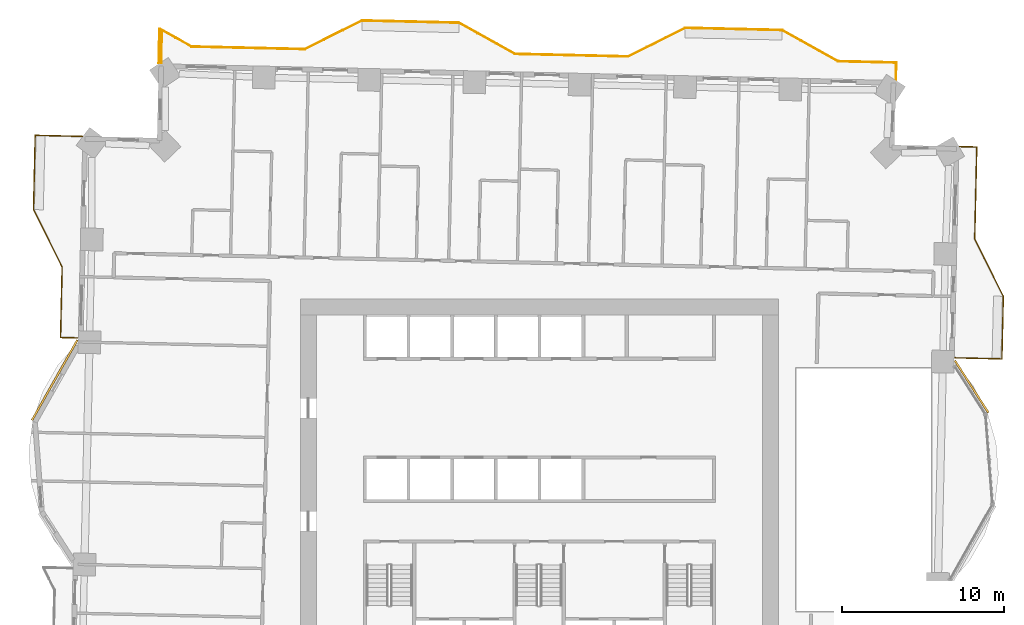
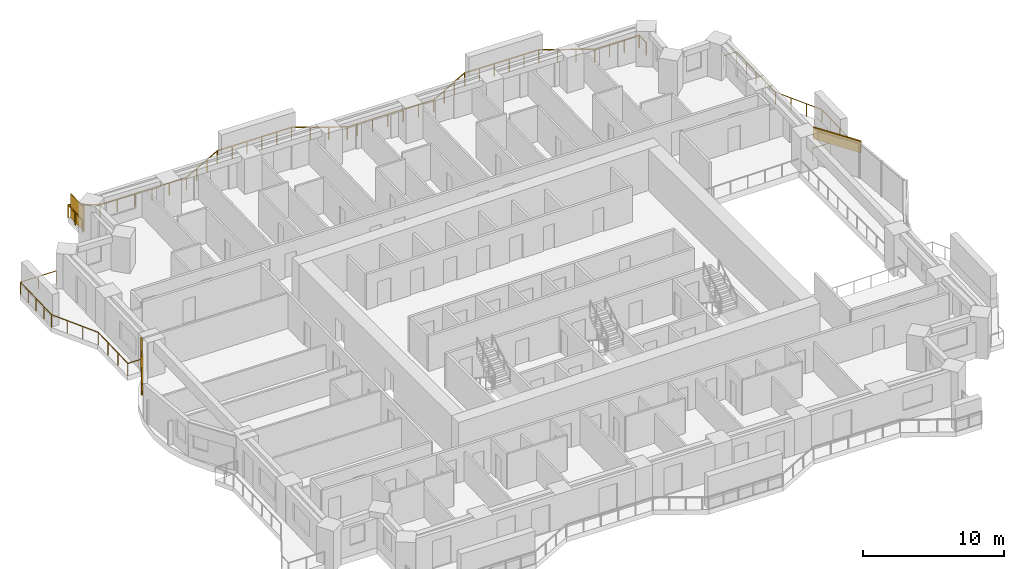
# One storey, part 16 of 16: 3 railings, 2 coverings, 1 shading device.
"""IFC4 building model written with IfcOpenShell, lengths in metres."""

from ifc_helpers import new_model, si_unit, direction, frame, frame_2d, origin, origin_2d, place, context, subcontext, project, spatial, rectangle, extrude, material, layer, layer_set, type_object, element, save


model = new_model("IFC4")

# Units and contexts
model_context = context("Model", 3, precision=1e-05, world=origin(), true_north=direction((0.0, 1.0)))
body_context = subcontext(model_context, "Body", "Model", "MODEL_VIEW")
ifc_project = project(units=[si_unit("LENGTHUNIT", "METRE"), si_unit("AREAUNIT", "SQUARE_METRE"), si_unit("VOLUMEUNIT", "CUBIC_METRE"), si_unit("PLANEANGLEUNIT", "RADIAN"), si_unit("MASSUNIT", "GRAM", prefix="KILO")], contexts=[model_context])

# Site, building, storey
site_placement = place(None, origin())
site = spatial("IfcSite", under=ifc_project, at=site_placement, CompositionType="ELEMENT")
building_placement = place(site_placement, origin())
building = spatial("IfcBuilding", under=site, at=building_placement, Name="Mangrove Gate Tower", CompositionType="ELEMENT")
storey_placement = place(building_placement, frame((0.0, 0.0, 109.10009765625)))
storey = spatial("IfcBuildingStorey", under=building, at=storey_placement, Name="L27", CompositionType="ELEMENT", Elevation=109.10009765625)

# Railings
ifc_material_1 = material(Name="Stainless steel grade 316 with laminated glass infill", Category="steel")
railing_type = type_object("IfcRailingType", Name="Balcony guard 1100", PredefinedType="GUARDRAIL", material=ifc_material_1)
railing_1_placement = place(storey_placement, frame((25.698974609375, 8.157958984375, 0.0)))
element("IfcRailing", 1, at=railing_1_placement, inside=storey, type_object=railing_type, Name="GUARD L27 E2", PredefinedType="GUARDRAIL", context=body_context, shape_type="SweptSolid", body=[
    extrude(rectangle(XDim=0.048095703125, YDim=0.048095703125, at=origin_2d()), frame((0.0, 0.0, 1.076171875), z_axis=(0.999743349437, -0.022654696127, 0.0), x_axis=(0.022654696127, 0.999743349437, 0.0)), (0.0, 0.0, 1.0), 2.90966796875),
    extrude(rectangle(XDim=0.048095703125, YDim=0.048095703125, at=origin_2d()), frame((2.908935546875, -0.06591796875, 1.076171875), z_axis=(0.022750035778, 0.999741184443, 0.0), x_axis=(-0.999741184443, 0.022750035778, 0.0)), (0.0, 0.0, 1.0), 3.8740234375),
    extrude(rectangle(XDim=0.048095703125, YDim=0.048095703125, at=origin_2d()), frame((2.9970703125, 3.80712890625, 1.076171875), z_axis=(-0.447114919141, 0.894476522376, 0.0), x_axis=(-0.894476522376, -0.447114919141, 0.0)), (0.0, 0.0, 1.0), 3.958740234375),
    extrude(rectangle(XDim=0.048095703125, YDim=0.048095703125, at=origin_2d()), frame((1.22705078125, 7.34814453125, 1.076171875), z_axis=(0.022613416525, 0.999744284001, 0.0), x_axis=(-0.999744284001, 0.022613416525, 0.0)), (0.0, 0.0, 1.0), 5.700439453125),
    extrude(rectangle(XDim=0.048095703125, YDim=0.048095703125, at=origin_2d()), frame((1.35595703125, 13.047119140625, 1.076171875), z_axis=(-0.999745272039, 0.02256969285, 0.0), x_axis=(-0.02256969285, -0.999745272039, 0.0)), (0.0, 0.0, 1.0), 1.06005859375),
    extrude(rectangle(XDim=0.0419921875, YDim=0.0419921875, at=origin_2d()), origin(), (0.0, 0.0, 1.0), 1.052001953125),
    extrude(rectangle(XDim=0.0419921875, YDim=0.0419921875, at=origin_2d()), frame((1.45458984375, -0.032958984375, 0.0)), (0.0, 0.0, 1.0), 1.052001953125),
    extrude(rectangle(XDim=0.0419921875, YDim=0.0419921875, at=origin_2d()), frame((2.908935546875, -0.06591796875, 0.0)), (0.0, 0.0, 1.0), 1.052001953125),
    extrude(rectangle(XDim=0.0419921875, YDim=0.0419921875, at=origin_2d()), frame((2.938232421875, 1.22509765625, 0.0)), (0.0, 0.0, 1.0), 1.052001953125),
    extrude(rectangle(XDim=0.0419921875, YDim=0.0419921875, at=origin_2d()), frame((2.9677734375, 2.51611328125, 0.0)), (0.0, 0.0, 1.0), 1.052001953125),
    extrude(rectangle(XDim=0.0419921875, YDim=0.0419921875, at=origin_2d()), frame((2.9970703125, 3.80712890625, 0.0)), (0.0, 0.0, 1.0), 1.052001953125),
    extrude(rectangle(XDim=0.0419921875, YDim=0.0419921875, at=origin_2d()), frame((2.406982421875, 4.987548828125, 0.0)), (0.0, 0.0, 1.0), 1.052001953125),
    extrude(rectangle(XDim=0.0419921875, YDim=0.0419921875, at=origin_2d()), frame((1.817138671875, 6.167724609375, 0.0)), (0.0, 0.0, 1.0), 1.052001953125),
    extrude(rectangle(XDim=0.0419921875, YDim=0.0419921875, at=origin_2d()), frame((1.22705078125, 7.34814453125, 0.0)), (0.0, 0.0, 1.0), 1.052001953125),
    extrude(rectangle(XDim=0.0419921875, YDim=0.0419921875, at=origin_2d()), frame((1.25927734375, 8.77294921875, 0.0)), (0.0, 0.0, 1.0), 1.052001953125),
    extrude(rectangle(XDim=0.0419921875, YDim=0.0419921875, at=origin_2d()), frame((1.29150390625, 10.19775390625, 0.0)), (0.0, 0.0, 1.0), 1.052001953125),
    extrude(rectangle(XDim=0.0419921875, YDim=0.0419921875, at=origin_2d()), frame((1.32373046875, 11.622314453125, 0.0)), (0.0, 0.0, 1.0), 1.052001953125),
    extrude(rectangle(XDim=0.0419921875, YDim=0.0419921875, at=origin_2d()), frame((1.35595703125, 13.047119140625, 0.0)), (0.0, 0.0, 1.0), 1.052001953125),
    extrude(rectangle(XDim=0.0419921875, YDim=0.0419921875, at=origin_2d()), frame((0.296142578125, 13.071044921875, 0.0)), (0.0, 0.0, 1.0), 1.052001953125),
])
railing_2_placement = place(storey_placement, frame((22.048095703125, 25.360107421875, 0.0)))
element("IfcRailing", 2, at=railing_2_placement, inside=storey, type_object=railing_type, Name="GUARD L27 N1", PredefinedType="GUARDRAIL", context=body_context, shape_type="SweptSolid", body=[
    extrude(rectangle(XDim=0.048095703125, YDim=0.048095703125, at=origin_2d()), frame((0.0, 0.0, 1.076171875), z_axis=(0.022590498181, 0.999744802133, 0.0), x_axis=(-0.999744802133, 0.022590498181, 0.0)), (0.0, 0.0, 1.0), 1.05908203125),
    extrude(rectangle(XDim=0.048095703125, YDim=0.048095703125, at=origin_2d()), frame((0.02392578125, 1.058837890625, 1.076171875), z_axis=(-0.999740925452, 0.022761414213, 0.0), x_axis=(-0.022761414213, -0.999740925452, 0.0)), (0.0, 0.0, 1.0), 3.60400390625),
    extrude(rectangle(XDim=0.048095703125, YDim=0.048095703125, at=origin_2d()), frame((-3.5791015625, 1.140869140625, 1.076171875), z_axis=(-0.87325689943, 0.48726008209, 0.0), x_axis=(-0.48726008209, -0.87325689943, 0.0)), (0.0, 0.0, 1.0), 3.958740234375),
    extrude(rectangle(XDim=0.048095703125, YDim=0.048095703125, at=origin_2d()), frame((-7.0361328125, 3.06982421875, 1.076171875), z_axis=(-0.999743178102, 0.022662255828, 0.0), x_axis=(-0.022662255828, -0.999743178102, 0.0)), (0.0, 0.0, 1.0), 6.00048828125),
    extrude(rectangle(XDim=0.048095703125, YDim=0.048095703125, at=origin_2d()), frame((-13.03515625, 3.205810546875, 1.076171875), z_axis=(-0.894476522376, -0.447114919141, 0.0), x_axis=(0.447114919141, -0.894476522376, 0.0)), (0.0, 0.0, 1.0), 3.958740234375),
    extrude(rectangle(XDim=0.048095703125, YDim=0.048095703125, at=origin_2d()), frame((-16.576171875, 1.435791015625, 1.076171875), z_axis=(-0.999740919865, 0.022761659577, 0.0), x_axis=(-0.022761659577, -0.999740919865, 0.0)), (0.0, 0.0, 1.0), 6.19970703125),
    extrude(rectangle(XDim=0.048095703125, YDim=0.048095703125, at=origin_2d()), frame((-22.774169921875, 1.576904296875, 1.076171875), z_axis=(-0.999744976912, 0.022582761994, 0.0), x_axis=(-0.022582761994, -0.999744976912, 0.0)), (0.0, 0.0, 1.0), 0.800048828125),
    extrude(rectangle(XDim=0.048095703125, YDim=0.048095703125, at=origin_2d()), frame((-23.573974609375, 1.594970703125, 1.076171875), z_axis=(-0.87325689943, 0.48726008209, 0.0), x_axis=(-0.48726008209, -0.87325689943, 0.0)), (0.0, 0.0, 1.0), 3.958740234375),
    extrude(rectangle(XDim=0.048095703125, YDim=0.048095703125, at=origin_2d()), frame((-27.031005859375, 3.52392578125, 1.076171875), z_axis=(-0.999743178102, 0.022662255828, 0.0), x_axis=(-0.022662255828, -0.999743178102, 0.0)), (0.0, 0.0, 1.0), 6.00048828125),
    extrude(rectangle(XDim=0.048095703125, YDim=0.048095703125, at=origin_2d()), frame((-33.030029296875, 3.659912109375, 1.076171875), z_axis=(-0.894476522376, -0.447114919141, 0.0), x_axis=(0.447114919141, -0.894476522376, 0.0)), (0.0, 0.0, 1.0), 3.958740234375),
    extrude(rectangle(XDim=0.048095703125, YDim=0.048095703125, at=origin_2d()), frame((-36.571044921875, 1.889892578125, 1.076171875), z_axis=(-0.999742195543, 0.022705559911, 0.0), x_axis=(-0.022705559911, -0.999742195543, 0.0)), (0.0, 0.0, 1.0), 6.999755859375),
    extrude(rectangle(XDim=0.048095703125, YDim=0.048095703125, at=origin_2d()), frame((-43.569091796875, 2.048828125, 1.076171875), z_axis=(-0.87330217406, 0.487178933025, 0.0), x_axis=(-0.487178933025, -0.87330217406, 0.0)), (0.0, 0.0, 1.0), 2.26611328125),
    extrude(rectangle(XDim=0.048095703125, YDim=0.048095703125, at=origin_2d()), frame((-45.548095703125, 3.15283203125, 1.076171875), z_axis=(-0.022692622467, -0.999742489287, 0.0), x_axis=(0.999742489287, -0.022692622467, 0.0)), (0.0, 0.0, 1.0), 2.119384765625),
    extrude(rectangle(XDim=0.0419921875, YDim=0.0419921875, at=origin_2d()), origin(), (0.0, 0.0, 1.0), 1.052001953125),
    extrude(rectangle(XDim=0.0419921875, YDim=0.0419921875, at=origin_2d()), frame((0.02392578125, 1.058837890625, 0.0)), (0.0, 0.0, 1.0), 1.052001953125),
    extrude(rectangle(XDim=0.0419921875, YDim=0.0419921875, at=origin_2d()), frame((-1.177001953125, 1.086181640625, 0.0)), (0.0, 0.0, 1.0), 1.052001953125),
    extrude(rectangle(XDim=0.0419921875, YDim=0.0419921875, at=origin_2d()), frame((-2.378173828125, 1.113525390625, 0.0)), (0.0, 0.0, 1.0), 1.052001953125),
    extrude(rectangle(XDim=0.0419921875, YDim=0.0419921875, at=origin_2d()), frame((-3.5791015625, 1.140869140625, 0.0)), (0.0, 0.0, 1.0), 1.052001953125),
    extrude(rectangle(XDim=0.0419921875, YDim=0.0419921875, at=origin_2d()), frame((-4.7314453125, 1.783935546875, 0.0)), (0.0, 0.0, 1.0), 1.052001953125),
    extrude(rectangle(XDim=0.0419921875, YDim=0.0419921875, at=origin_2d()), frame((-5.8837890625, 2.4267578125, 0.0)), (0.0, 0.0, 1.0), 1.052001953125),
    extrude(rectangle(XDim=0.0419921875, YDim=0.0419921875, at=origin_2d()), frame((-7.0361328125, 3.06982421875, 0.0)), (0.0, 0.0, 1.0), 1.052001953125),
    extrude(rectangle(XDim=0.0419921875, YDim=0.0419921875, at=origin_2d()), frame((-8.23583984375, 3.096923828125, 0.0)), (0.0, 0.0, 1.0), 1.052001953125),
    extrude(rectangle(XDim=0.0419921875, YDim=0.0419921875, at=origin_2d()), frame((-9.435791015625, 3.124267578125, 0.0)), (0.0, 0.0, 1.0), 1.052001953125),
    extrude(rectangle(XDim=0.0419921875, YDim=0.0419921875, at=origin_2d()), frame((-10.635498046875, 3.1513671875, 0.0)), (0.0, 0.0, 1.0), 1.052001953125),
    extrude(rectangle(XDim=0.0419921875, YDim=0.0419921875, at=origin_2d()), frame((-11.83544921875, 3.1787109375, 0.0)), (0.0, 0.0, 1.0), 1.052001953125),
    extrude(rectangle(XDim=0.0419921875, YDim=0.0419921875, at=origin_2d()), frame((-13.03515625, 3.205810546875, 0.0)), (0.0, 0.0, 1.0), 1.052001953125),
    extrude(rectangle(XDim=0.0419921875, YDim=0.0419921875, at=origin_2d()), frame((-14.215576171875, 2.61572265625, 0.0)), (0.0, 0.0, 1.0), 1.052001953125),
    extrude(rectangle(XDim=0.0419921875, YDim=0.0419921875, at=origin_2d()), frame((-15.395751953125, 2.02587890625, 0.0)), (0.0, 0.0, 1.0), 1.052001953125),
    extrude(rectangle(XDim=0.0419921875, YDim=0.0419921875, at=origin_2d()), frame((-16.576171875, 1.435791015625, 0.0)), (0.0, 0.0, 1.0), 1.052001953125),
    extrude(rectangle(XDim=0.0419921875, YDim=0.0419921875, at=origin_2d()), frame((-17.815673828125, 1.464111328125, 0.0)), (0.0, 0.0, 1.0), 1.052001953125),
    extrude(rectangle(XDim=0.0419921875, YDim=0.0419921875, at=origin_2d()), frame((-19.055419921875, 1.4921875, 0.0)), (0.0, 0.0, 1.0), 1.052001953125),
    extrude(rectangle(XDim=0.0419921875, YDim=0.0419921875, at=origin_2d()), frame((-20.294921875, 1.5205078125, 0.0)), (0.0, 0.0, 1.0), 1.052001953125),
    extrude(rectangle(XDim=0.0419921875, YDim=0.0419921875, at=origin_2d()), frame((-21.53466796875, 1.548583984375, 0.0)), (0.0, 0.0, 1.0), 1.052001953125),
    extrude(rectangle(XDim=0.0419921875, YDim=0.0419921875, at=origin_2d()), frame((-22.774169921875, 1.576904296875, 0.0)), (0.0, 0.0, 1.0), 1.052001953125),
    extrude(rectangle(XDim=0.0419921875, YDim=0.0419921875, at=origin_2d()), frame((-23.573974609375, 1.594970703125, 0.0)), (0.0, 0.0, 1.0), 1.052001953125),
    extrude(rectangle(XDim=0.0419921875, YDim=0.0419921875, at=origin_2d()), frame((-24.726318359375, 2.238037109375, 0.0)), (0.0, 0.0, 1.0), 1.052001953125),
    extrude(rectangle(XDim=0.0419921875, YDim=0.0419921875, at=origin_2d()), frame((-25.878662109375, 2.880859375, 0.0)), (0.0, 0.0, 1.0), 1.052001953125),
    extrude(rectangle(XDim=0.0419921875, YDim=0.0419921875, at=origin_2d()), frame((-27.031005859375, 3.52392578125, 0.0)), (0.0, 0.0, 1.0), 1.052001953125),
    extrude(rectangle(XDim=0.0419921875, YDim=0.0419921875, at=origin_2d()), frame((-28.230712890625, 3.551025390625, 0.0)), (0.0, 0.0, 1.0), 1.052001953125),
    extrude(rectangle(XDim=0.0419921875, YDim=0.0419921875, at=origin_2d()), frame((-29.4306640625, 3.578369140625, 0.0)), (0.0, 0.0, 1.0), 1.052001953125),
    extrude(rectangle(XDim=0.0419921875, YDim=0.0419921875, at=origin_2d()), frame((-30.63037109375, 3.60546875, 0.0)), (0.0, 0.0, 1.0), 1.052001953125),
    extrude(rectangle(XDim=0.0419921875, YDim=0.0419921875, at=origin_2d()), frame((-31.830322265625, 3.6328125, 0.0)), (0.0, 0.0, 1.0), 1.052001953125),
    extrude(rectangle(XDim=0.0419921875, YDim=0.0419921875, at=origin_2d()), frame((-33.030029296875, 3.659912109375, 0.0)), (0.0, 0.0, 1.0), 1.052001953125),
    extrude(rectangle(XDim=0.0419921875, YDim=0.0419921875, at=origin_2d()), frame((-34.21044921875, 3.06982421875, 0.0)), (0.0, 0.0, 1.0), 1.052001953125),
    extrude(rectangle(XDim=0.0419921875, YDim=0.0419921875, at=origin_2d()), frame((-35.390625, 2.47998046875, 0.0)), (0.0, 0.0, 1.0), 1.052001953125),
    extrude(rectangle(XDim=0.0419921875, YDim=0.0419921875, at=origin_2d()), frame((-36.571044921875, 1.889892578125, 0.0)), (0.0, 0.0, 1.0), 1.052001953125),
    extrude(rectangle(XDim=0.0419921875, YDim=0.0419921875, at=origin_2d()), frame((-37.970703125, 1.921630859375, 0.0)), (0.0, 0.0, 1.0), 1.052001953125),
    extrude(rectangle(XDim=0.0419921875, YDim=0.0419921875, at=origin_2d()), frame((-39.370361328125, 1.953369140625, 0.0)), (0.0, 0.0, 1.0), 1.052001953125),
    extrude(rectangle(XDim=0.0419921875, YDim=0.0419921875, at=origin_2d()), frame((-40.769775390625, 1.9853515625, 0.0)), (0.0, 0.0, 1.0), 1.052001953125),
    extrude(rectangle(XDim=0.0419921875, YDim=0.0419921875, at=origin_2d()), frame((-42.16943359375, 2.01708984375, 0.0)), (0.0, 0.0, 1.0), 1.052001953125),
    extrude(rectangle(XDim=0.0419921875, YDim=0.0419921875, at=origin_2d()), frame((-43.569091796875, 2.048828125, 0.0)), (0.0, 0.0, 1.0), 1.052001953125),
    extrude(rectangle(XDim=0.0419921875, YDim=0.0419921875, at=origin_2d()), frame((-44.55859375, 2.600830078125, 0.0)), (0.0, 0.0, 1.0), 1.052001953125),
    extrude(rectangle(XDim=0.0419921875, YDim=0.0419921875, at=origin_2d()), frame((-45.548095703125, 3.15283203125, 0.0)), (0.0, 0.0, 1.0), 1.052001953125),
    extrude(rectangle(XDim=0.0419921875, YDim=0.0419921875, at=origin_2d()), frame((-45.572265625, 2.09326171875, 0.0)), (0.0, 0.0, 1.0), 1.052001953125),
    extrude(rectangle(XDim=0.0419921875, YDim=0.0419921875, at=origin_2d()), frame((-45.59619140625, 1.033935546875, 0.0)), (0.0, 0.0, 1.0), 1.052001953125),
])
railing_3_placement = place(storey_placement, frame((-28.2919921875, 21.861083984375, 0.0)))
element("IfcRailing", 3, at=railing_3_placement, inside=storey, type_object=railing_type, Name="GUARD L27 W1", PredefinedType="GUARDRAIL", context=body_context, shape_type="SweptSolid", body=[
    extrude(rectangle(XDim=0.048095703125, YDim=0.048095703125, at=origin_2d()), frame((0.0, 0.0, 1.076171875), z_axis=(-0.999743521605, 0.022647097142, 0.0), x_axis=(-0.022647097142, -0.999743521605, 0.0)), (0.0, 0.0, 1.0), 2.91064453125),
    extrude(rectangle(XDim=0.048095703125, YDim=0.048095703125, at=origin_2d()), frame((-2.909912109375, 0.06591796875, 1.076171875), z_axis=(-0.02260808559, -0.999744404568, 0.0), x_axis=(0.999744404568, -0.02260808559, 0.0)), (0.0, 0.0, 1.0), 4.600341796875),
    extrude(rectangle(XDim=0.048095703125, YDim=0.048095703125, at=origin_2d()), frame((-3.013916015625, -4.533203125, 1.076171875), z_axis=(0.447139584658, -0.894464192593, 0.0), x_axis=(0.894464192593, 0.447139584658, 0.0)), (0.0, 0.0, 1.0), 3.95849609375),
    extrude(rectangle(XDim=0.048095703125, YDim=0.048095703125, at=origin_2d()), frame((-1.243896484375, -8.073974609375, 1.076171875), z_axis=(-0.022655491882, -0.999743331404, 0.0), x_axis=(0.999743331404, -0.022655491882, 0.0)), (0.0, 0.0, 1.0), 4.375244140625),
    extrude(rectangle(XDim=0.048095703125, YDim=0.048095703125, at=origin_2d()), frame((-1.343017578125, -12.447998046875, 1.076171875), z_axis=(0.999740168701, -0.022794628443, 0.0), x_axis=(0.022794628443, 0.999740168701, 0.0)), (0.0, 0.0, 1.0), 1.060302734375),
    extrude(rectangle(XDim=0.0419921875, YDim=0.0419921875, at=origin_2d()), origin(), (0.0, 0.0, 1.0), 1.052001953125),
    extrude(rectangle(XDim=0.0419921875, YDim=0.0419921875, at=origin_2d()), frame((-1.455078125, 0.032958984375, 0.0)), (0.0, 0.0, 1.0), 1.052001953125),
    extrude(rectangle(XDim=0.0419921875, YDim=0.0419921875, at=origin_2d()), frame((-2.909912109375, 0.06591796875, 0.0)), (0.0, 0.0, 1.0), 1.052001953125),
    extrude(rectangle(XDim=0.0419921875, YDim=0.0419921875, at=origin_2d()), frame((-2.93603515625, -1.083984375, 0.0)), (0.0, 0.0, 1.0), 1.052001953125),
    extrude(rectangle(XDim=0.0419921875, YDim=0.0419921875, at=origin_2d()), frame((-2.9619140625, -2.233642578125, 0.0)), (0.0, 0.0, 1.0), 1.052001953125),
    extrude(rectangle(XDim=0.0419921875, YDim=0.0419921875, at=origin_2d()), frame((-2.98779296875, -3.38330078125, 0.0)), (0.0, 0.0, 1.0), 1.052001953125),
    extrude(rectangle(XDim=0.0419921875, YDim=0.0419921875, at=origin_2d()), frame((-3.013916015625, -4.533203125, 0.0)), (0.0, 0.0, 1.0), 1.052001953125),
    extrude(rectangle(XDim=0.0419921875, YDim=0.0419921875, at=origin_2d()), frame((-2.423828125, -5.71337890625, 0.0)), (0.0, 0.0, 1.0), 1.052001953125),
    extrude(rectangle(XDim=0.0419921875, YDim=0.0419921875, at=origin_2d()), frame((-1.833984375, -6.893798828125, 0.0)), (0.0, 0.0, 1.0), 1.052001953125),
    extrude(rectangle(XDim=0.0419921875, YDim=0.0419921875, at=origin_2d()), frame((-1.243896484375, -8.073974609375, 0.0)), (0.0, 0.0, 1.0), 1.052001953125),
    extrude(rectangle(XDim=0.0419921875, YDim=0.0419921875, at=origin_2d()), frame((-1.27685546875, -9.531982421875, 0.0)), (0.0, 0.0, 1.0), 1.052001953125),
    extrude(rectangle(XDim=0.0419921875, YDim=0.0419921875, at=origin_2d()), frame((-1.31005859375, -10.989990234375, 0.0)), (0.0, 0.0, 1.0), 1.052001953125),
    extrude(rectangle(XDim=0.0419921875, YDim=0.0419921875, at=origin_2d()), frame((-1.343017578125, -12.447998046875, 0.0)), (0.0, 0.0, 1.0), 1.052001953125),
    extrude(rectangle(XDim=0.0419921875, YDim=0.0419921875, at=origin_2d()), frame((-0.282958984375, -12.47216796875, 0.0)), (0.0, 0.0, 1.0), 1.052001953125),
])

# Shading device
ifc_material_2 = material(Name="Timber slat screen in teak", Category="wood")
shading_device_type = type_object("IfcShadingDeviceType", Name="Balcony screen 2100", PredefinedType="USERDEFINED", material=ifc_material_2)
shading_device_placement = place(storey_placement, frame((-23.385986328125, 27.3701171875, -0.000244140625), z_axis=(0.0, 0.0, 1.0), x_axis=(0.022739679942, 0.999741420046, 0.0)))
element("IfcShadingDevice", 4, at=shading_device_placement, inside=storey, type_object=shading_device_type, Name="SCREEN L27 N1", ObjectType="SCREEN", PredefinedType="USERDEFINED", context=body_context, shape_type="SweptSolid", body=[
    extrude(rectangle(XDim=2.0, YDim=0.050048828125, at=origin_2d()), origin(), (0.0, 0.0, 1.0), 2.10009765625),
])

# Coverings
ifc_material_3 = material(Name="Limestone", Category="masonry")
ifc_layer_1 = layer(ifc_material_3, 0.0400390625, Name="Limestone cladding")
ifc_material_4 = material(Name="Stainless steel anchors and cavity", Category="steel")
ifc_layer_2 = layer(ifc_material_4, 0.080078125, Name="Fixing cavity")
ifc_layer_set = layer_set([ifc_layer_1, ifc_layer_2], Name="Joint fascia cladding 120")
covering_type = type_object("IfcCoveringType", Name="Joint fascia cladding 120", PredefinedType="CLADDING", material=ifc_layer_set)
covering_1_placement = place(storey_placement, frame((27.762939453125, 4.77392578125, 2.0498046875), z_axis=(0.0, 0.0, 1.0), x_axis=(-0.540457066708, 0.841371593914, 0.0)))
element("IfcCovering", 5, at=covering_1_placement, inside=storey, type_object=covering_type, Name="STONE FASCIA L27 E1.L2", PredefinedType="CLADDING", context=body_context, shape_type="SweptSolid", body=[
    extrude(rectangle(XDim=3.81884765625, YDim=0.1201171875, at=frame_2d((1.909423828125, 0.0))), origin(), (0.0, 0.0, 1.0), 1.0),
])
covering_2_placement = place(storey_placement, frame((-28.588134765625, 9.264892578125, 2.0498046875), z_axis=(0.0, 0.0, 1.0), x_axis=(-0.492461862622, -0.870334024305, 0.0)))
element("IfcCovering", 6, at=covering_2_placement, inside=storey, type_object=covering_type, Name="STONE FASCIA L27 W9.L1", PredefinedType="CLADDING", context=body_context, shape_type="SweptSolid", body=[
    extrude(rectangle(XDim=5.70556640625, YDim=0.1201171875, at=frame_2d((2.852783203125, 0.0))), origin(), (0.0, 0.0, 1.0), 1.0),
])

save(model, "model.ifc")
